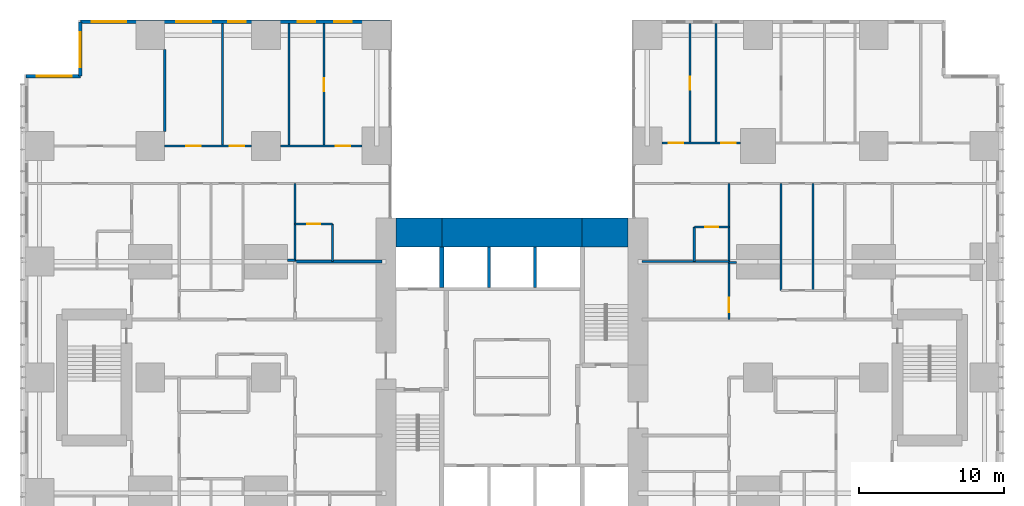
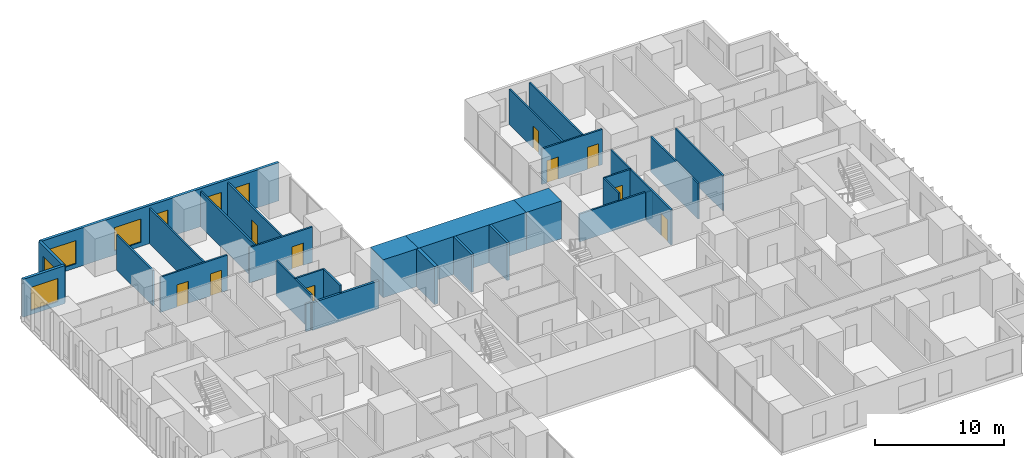
# One storey, part 17 of 20: 30 walls, 10 doors, 7 windows, 17 openings.
"""IFC4 building model written with IfcOpenShell, lengths in metres."""

from ifc_helpers import new_model, si_unit, direction, frame, frame_2d, origin, place, context, subcontext, project, spatial, rectangle, extrude, material, layer, layer_set, type_object, element, fill, save


model = new_model("IFC4")

# Units and contexts
model_context = context("Model", 3, precision=1e-05, world=origin(), true_north=direction((0.0, 1.0)))
body_context = subcontext(model_context, "Body", "Model", "MODEL_VIEW")
ifc_project = project(units=[si_unit("LENGTHUNIT", "METRE"), si_unit("AREAUNIT", "SQUARE_METRE"), si_unit("VOLUMEUNIT", "CUBIC_METRE"), si_unit("PLANEANGLEUNIT", "RADIAN"), si_unit("MASSUNIT", "GRAM", prefix="KILO")], contexts=[model_context])

# Site, building, storey
site_placement = place(None, origin())
site = spatial("IfcSite", under=ifc_project, at=site_placement, CompositionType="ELEMENT")
building_placement = place(site_placement, origin())
building = spatial("IfcBuilding", under=site, at=building_placement, Name="Cleftline Residences", CompositionType="ELEMENT")
storey_placement = place(building_placement, frame((0.0, 0.0, 157.39990234375)))
storey = spatial("IfcBuildingStorey", under=building, at=storey_placement, Name="L41", CompositionType="ELEMENT", Elevation=157.39990234375)

# Walls
ifc_material_1 = material(Name="Concrete B70", Category="concrete")
ifc_layer_1 = layer(ifc_material_1, 2.0)
ifc_layer_set_1 = layer_set([ifc_layer_1], Name="CORE WALL 2000")
wall_type_1 = type_object("IfcWallType", Name="CORE WALL 2000", PredefinedType="SHEAR", material=ifc_layer_set_1)
wall_1_placement = place(storey_placement, frame((25.0, 34.0, 0.0), z_axis=(0.0, 0.0, 1.0), x_axis=(1.0, 0.0, 0.0)))
element("IfcWall", 1, at=wall_1_placement, inside=storey, type_object=wall_type_1, Name="Core wall N1", PredefinedType="SHEAR", context=body_context, shape_type="SweptSolid", body=[
    extrude(rectangle(XDim=3.14990234375, YDim=2.0, at=frame_2d((1.574951171875, 0.0))), origin(), (0.0, 0.0, 1.0), 3.60009765625),
])
wall_2_placement = place(storey_placement, frame((28.14990234375, 34.0, 0.0), z_axis=(0.0, 0.0, 1.0), x_axis=(1.0, 0.0, 0.0)))
element("IfcWall", 2, at=wall_2_placement, inside=storey, type_object=wall_type_1, Name="Core wall N2", PredefinedType="SHEAR", context=body_context, shape_type="SweptSolid", body=[
    extrude(rectangle(XDim=9.7001953125, YDim=2.0, at=frame_2d((4.85009765625, 0.0))), origin(), (0.0, 0.0, 1.0), 3.60009765625),
])
wall_3_placement = place(storey_placement, frame((37.85009765625, 34.0, 0.0), z_axis=(0.0, 0.0, 1.0), x_axis=(1.0, 0.0, 0.0)))
element("IfcWall", 3, at=wall_3_placement, inside=storey, type_object=wall_type_1, Name="Core wall N3", PredefinedType="SHEAR", context=body_context, shape_type="SweptSolid", body=[
    extrude(rectangle(XDim=3.14990234375, YDim=2.0, at=frame_2d((1.574951171875, 0.0))), origin(), (0.0, 0.0, 1.0), 3.60009765625),
])
ifc_material_2 = material(Name="Concrete B70", Category="concrete")
ifc_layer_2 = layer(ifc_material_2, 0.300048828125)
ifc_layer_set_2 = layer_set([ifc_layer_2], Name="CORE WALL 300")
wall_type_2 = type_object("IfcWallType", Name="CORE WALL 300", PredefinedType="SHEAR", material=ifc_layer_set_2)
wall_4_placement = place(storey_placement, frame((28.14990234375, 30.199951171875, 0.0), z_axis=(0.0, 0.0, 1.0), x_axis=(0.0, 1.0, 0.0)))
element("IfcWall", 4, at=wall_4_placement, inside=storey, type_object=wall_type_2, Name="Lift shaft wall", PredefinedType="SHEAR", context=body_context, shape_type="SweptSolid", body=[
    extrude(rectangle(XDim=2.800048828125, YDim=0.300048828125, at=frame_2d((1.39990234375, 0.0))), origin(), (0.0, 0.0, 1.0), 3.60009765625),
])

# Wall, openings, windows
ifc_material_3 = material(Name="Rendered reinforced concrete blockwork", Category="masonry")
ifc_layer_3 = layer(ifc_material_3, 0.25)
ifc_layer_set_3 = layer_set([ifc_layer_3], Name="EXTERNAL WALL 250")
wall_type_3 = type_object("IfcWallType", Name="EXTERNAL WALL 250", PredefinedType="SOLIDWALL", material=ifc_layer_set_3)
wall_5_placement = place(storey_placement, frame((24.574951171875, 48.574951171875, 0.0), z_axis=(0.0, 0.0, 1.0), x_axis=(-1.0, 0.0, 0.0)))
wall_5 = element("IfcWall", 5, at=wall_5_placement, inside=storey, type_object=wall_type_3, Name="External wall", PredefinedType="SOLIDWALL", context=body_context, shape_type="SweptSolid", body=[
    extrude(rectangle(XDim=21.39990234375, YDim=0.25, at=frame_2d((10.699951171875, 0.0))), origin(), (0.0, 0.0, 1.0), 3.60009765625),
])
opening_1_placement = place(wall_5_placement, frame((2.64990234375, 0.0, 0.39990234375)))
opening_1 = element("IfcOpeningElement", 6, at=opening_1_placement, cuts=wall_5, Name="Opening W11", PredefinedType="OPENING", context=body_context, shape_type="SweptSolid", body=[
    extrude(rectangle(XDim=1.199951171875, YDim=2.199951171875, at=frame_2d((0.60009765625, 1.10009765625))), frame((0.0, 0.135009765625, 0.0), z_axis=(0.0, -1.0, 0.0), x_axis=(1.0, 0.0, 0.0)), (0.0, 0.0, 1.0), 0.27001953125),
])
opening_2_placement = place(wall_5_placement, frame((5.175048828125, 0.0, 0.39990234375)))
opening_2 = element("IfcOpeningElement", 7, at=opening_2_placement, cuts=wall_5, Name="Opening W11", PredefinedType="OPENING", context=body_context, shape_type="SweptSolid", body=[
    extrude(rectangle(XDim=1.199951171875, YDim=2.199951171875, at=frame_2d((0.60009765625, 1.10009765625))), frame((0.0, 0.135009765625, 0.0), z_axis=(0.0, -1.0, 0.0), x_axis=(1.0, 0.0, 0.0)), (0.0, 0.0, 1.0), 0.27001953125),
])
opening_3_placement = place(wall_5_placement, frame((9.97509765625, 0.0, 0.39990234375)))
opening_3 = element("IfcOpeningElement", 8, at=opening_3_placement, cuts=wall_5, Name="Opening W11", PredefinedType="OPENING", context=body_context, shape_type="SweptSolid", body=[
    extrude(rectangle(XDim=1.199951171875, YDim=2.199951171875, at=frame_2d((0.60009765625, 1.10009765625))), frame((0.0, 0.135009765625, 0.0), z_axis=(0.0, -1.0, 0.0), x_axis=(1.0, 0.0, 0.0)), (0.0, 0.0, 1.0), 0.27001953125),
])
opening_4_placement = place(wall_5_placement, frame((12.375, 0.0, 0.39990234375)))
opening_4 = element("IfcOpeningElement", 9, at=opening_4_placement, cuts=wall_5, Name="Opening W12", PredefinedType="OPENING", context=body_context, shape_type="SweptSolid", body=[
    extrude(rectangle(XDim=2.39990234375, YDim=2.199951171875, at=frame_2d((1.199951171875, 1.10009765625))), frame((0.0, 0.135009765625, 0.0), z_axis=(0.0, -1.0, 0.0), x_axis=(1.0, 0.0, 0.0)), (0.0, 0.0, 1.0), 0.27001953125),
])
opening_5_placement = place(wall_5_placement, frame((18.22509765625, 0.0, 0.39990234375)))
opening_5 = element("IfcOpeningElement", 10, at=opening_5_placement, cuts=wall_5, Name="Opening W12", PredefinedType="OPENING", context=body_context, shape_type="SweptSolid", body=[
    extrude(rectangle(XDim=2.39990234375, YDim=2.199951171875, at=frame_2d((1.199951171875, 1.10009765625))), frame((0.0, 0.135009765625, 0.0), z_axis=(0.0, -1.0, 0.0), x_axis=(1.0, 0.0, 0.0)), (0.0, 0.0, 1.0), 0.27001953125),
])
ifc_material_4 = material(Name="Aluminium frame, clear double glazing", Category="aluminium")
window_type_1 = type_object("IfcWindowType", Name="WINDOW 1200X2200", PartitioningType="DOUBLE_PANEL_VERTICAL", PredefinedType="WINDOW", material=ifc_material_4)
window_1_placement = place(opening_1_placement, origin())
window_1 = element("IfcWindow", 11, at=window_1_placement, inside=storey, type_object=window_type_1, Name="Window", OverallHeight=2.199951171875, OverallWidth=1.199951171875, PartitioningType="SINGLE_PANEL", PredefinedType="WINDOW", context=body_context, shape_type="SweptSolid", body=[
    extrude(rectangle(XDim=1.199951171875, YDim=2.199951171875, at=frame_2d((0.60009765625, 1.10009765625))), frame((0.0, 0.030029296875, 0.0), z_axis=(0.0, -1.0, 0.0), x_axis=(1.0, 0.0, 0.0)), (0.0, 0.0, 1.0), 0.06005859375),
])
fill(opening_1, window_1)
window_2_placement = place(opening_2_placement, origin())
window_2 = element("IfcWindow", 12, at=window_2_placement, inside=storey, type_object=window_type_1, Name="Window", OverallHeight=2.199951171875, OverallWidth=1.199951171875, PartitioningType="SINGLE_PANEL", PredefinedType="WINDOW", context=body_context, shape_type="SweptSolid", body=[
    extrude(rectangle(XDim=1.199951171875, YDim=2.199951171875, at=frame_2d((0.60009765625, 1.10009765625))), frame((0.0, 0.030029296875, 0.0), z_axis=(0.0, -1.0, 0.0), x_axis=(1.0, 0.0, 0.0)), (0.0, 0.0, 1.0), 0.06005859375),
])
fill(opening_2, window_2)
window_3_placement = place(opening_3_placement, origin())
window_3 = element("IfcWindow", 13, at=window_3_placement, inside=storey, type_object=window_type_1, Name="Window", OverallHeight=2.199951171875, OverallWidth=1.199951171875, PartitioningType="SINGLE_PANEL", PredefinedType="WINDOW", context=body_context, shape_type="SweptSolid", body=[
    extrude(rectangle(XDim=1.199951171875, YDim=2.199951171875, at=frame_2d((0.60009765625, 1.10009765625))), frame((0.0, 0.030029296875, 0.0), z_axis=(0.0, -1.0, 0.0), x_axis=(1.0, 0.0, 0.0)), (0.0, 0.0, 1.0), 0.06005859375),
])
fill(opening_3, window_3)
ifc_material_5 = material(Name="Aluminium frame, clear double glazing", Category="aluminium")
window_type_2 = type_object("IfcWindowType", Name="WINDOW 2400X2200", PartitioningType="DOUBLE_PANEL_VERTICAL", PredefinedType="WINDOW", material=ifc_material_5)
window_4_placement = place(opening_4_placement, origin())
window_4 = element("IfcWindow", 14, at=window_4_placement, inside=storey, type_object=window_type_2, Name="Window", OverallHeight=2.199951171875, OverallWidth=2.39990234375, PartitioningType="SINGLE_PANEL", PredefinedType="WINDOW", context=body_context, shape_type="SweptSolid", body=[
    extrude(rectangle(XDim=2.39990234375, YDim=2.199951171875, at=frame_2d((1.199951171875, 1.10009765625))), frame((0.0, 0.030029296875, 0.0), z_axis=(0.0, -1.0, 0.0), x_axis=(1.0, 0.0, 0.0)), (0.0, 0.0, 1.0), 0.06005859375),
])
fill(opening_4, window_4)
window_5_placement = place(opening_5_placement, origin())
window_5 = element("IfcWindow", 15, at=window_5_placement, inside=storey, type_object=window_type_2, Name="Window", OverallHeight=2.199951171875, OverallWidth=2.39990234375, PartitioningType="SINGLE_PANEL", PredefinedType="WINDOW", context=body_context, shape_type="SweptSolid", body=[
    extrude(rectangle(XDim=2.39990234375, YDim=2.199951171875, at=frame_2d((1.199951171875, 1.10009765625))), frame((0.0, 0.030029296875, 0.0), z_axis=(0.0, -1.0, 0.0), x_axis=(1.0, 0.0, 0.0)), (0.0, 0.0, 1.0), 0.06005859375),
])
fill(opening_5, window_5)

# Wall, opening, window
wall_6_placement = place(storey_placement, frame((3.175048828125, 48.574951171875, 0.0), z_axis=(0.0, 0.0, 1.0), x_axis=(0.0, -1.0, 0.0)))
wall_6 = element("IfcWall", 16, at=wall_6_placement, inside=storey, type_object=wall_type_3, Name="External wall", PredefinedType="SOLIDWALL", context=body_context, shape_type="SweptSolid", body=[
    extrude(rectangle(XDim=3.75, YDim=0.25, at=frame_2d((1.875, 0.0))), origin(), (0.0, 0.0, 1.0), 3.60009765625),
])
opening_6_placement = place(wall_6_placement, frame((0.737548828125, 0.0, 0.39990234375)))
opening_6 = element("IfcOpeningElement", 17, at=opening_6_placement, cuts=wall_6, Name="Opening W12", PredefinedType="OPENING", context=body_context, shape_type="SweptSolid", body=[
    extrude(rectangle(XDim=2.39990234375, YDim=2.199951171875, at=frame_2d((1.199951171875, 1.10009765625))), frame((0.0, 0.135009765625, 0.0), z_axis=(0.0, -1.0, 0.0), x_axis=(1.0, 0.0, 0.0)), (0.0, 0.0, 1.0), 0.27001953125),
])
window_6_placement = place(opening_6_placement, origin())
window_6 = element("IfcWindow", 18, at=window_6_placement, inside=storey, type_object=window_type_2, Name="Window", OverallHeight=2.199951171875, OverallWidth=2.39990234375, PartitioningType="SINGLE_PANEL", PredefinedType="WINDOW", context=body_context, shape_type="SweptSolid", body=[
    extrude(rectangle(XDim=2.39990234375, YDim=2.199951171875, at=frame_2d((1.199951171875, 1.10009765625))), frame((0.0, 0.030029296875, 0.0), z_axis=(0.0, -1.0, 0.0), x_axis=(1.0, 0.0, 0.0)), (0.0, 0.0, 1.0), 0.06005859375),
])
fill(opening_6, window_6)

wall_7_placement = place(storey_placement, frame((3.175048828125, 44.824951171875, 0.0), z_axis=(0.0, 0.0, 1.0), x_axis=(-1.0, 0.0, 0.0)))
wall_7 = element("IfcWall", 19, at=wall_7_placement, inside=storey, type_object=wall_type_3, Name="External wall", PredefinedType="SOLIDWALL", context=body_context, shape_type="SweptSolid", body=[
    extrude(rectangle(XDim=3.75, YDim=0.25, at=frame_2d((1.875, 0.0))), origin(), (0.0, 0.0, 1.0), 3.60009765625),
])
opening_7_placement = place(wall_7_placement, frame((0.612548828125, 0.0, 0.39990234375)))
opening_7 = element("IfcOpeningElement", 20, at=opening_7_placement, cuts=wall_7, Name="Opening W12", PredefinedType="OPENING", context=body_context, shape_type="SweptSolid", body=[
    extrude(rectangle(XDim=2.39990234375, YDim=2.199951171875, at=frame_2d((1.199951171875, 1.10009765625))), frame((0.0, 0.135009765625, 0.0), z_axis=(0.0, -1.0, 0.0), x_axis=(1.0, 0.0, 0.0)), (0.0, 0.0, 1.0), 0.27001953125),
])
window_7_placement = place(opening_7_placement, origin())
window_7 = element("IfcWindow", 21, at=window_7_placement, inside=storey, type_object=window_type_2, Name="Window", OverallHeight=2.199951171875, OverallWidth=2.39990234375, PartitioningType="SINGLE_PANEL", PredefinedType="WINDOW", context=body_context, shape_type="SweptSolid", body=[
    extrude(rectangle(XDim=2.39990234375, YDim=2.199951171875, at=frame_2d((1.199951171875, 1.10009765625))), frame((0.0, 0.030029296875, 0.0), z_axis=(0.0, -1.0, 0.0), x_axis=(1.0, 0.0, 0.0)), (0.0, 0.0, 1.0), 0.06005859375),
])
fill(opening_7, window_7)

# Walls
ifc_material_6 = material(Name="Concrete blockwork, fire rated", Category="masonry")
ifc_layer_4 = layer(ifc_material_6, 0.199951171875)
ifc_layer_set_4 = layer_set([ifc_layer_4], Name="FIRE WALL 200")
wall_type_4 = type_object("IfcWallType", Name="FIRE WALL 200", PredefinedType="PARTITIONING", material=ifc_layer_set_4)
wall_8_placement = place(storey_placement, frame((18.0, 32.0, 0.0), z_axis=(0.0, 0.0, 1.0), x_axis=(1.0, 0.0, 0.0)))
element("IfcWall", 22, at=wall_8_placement, inside=storey, type_object=wall_type_4, Name="Fire separating wall", PredefinedType="PARTITIONING", context=body_context, shape_type="SweptSolid", body=[
    extrude(rectangle(XDim=6.0, YDim=0.199951171875, at=frame_2d((3.0, 0.0))), origin(), (0.0, 0.0, 1.0), 2.634033203125),
])
ifc_material_7 = material(Name="Gypsum board on steel studs", Category="steel")
ifc_layer_5 = layer(ifc_material_7, 0.14990234375)
ifc_layer_set_5 = layer_set([ifc_layer_5], Name="PARTITION 150")
wall_type_5 = type_object("IfcWallType", Name="PARTITION 150", PredefinedType="PARTITIONING", material=ifc_layer_set_5)
wall_9_placement = place(storey_placement, frame((48.0, 31.949951171875, 0.0), z_axis=(0.0, 0.0, 1.0), x_axis=(1.0, 0.0, 0.0)))
element("IfcWall", 23, at=wall_9_placement, inside=storey, type_object=wall_type_5, Name="Partition", PredefinedType="PARTITIONING", context=body_context, shape_type="SweptSolid", body=[
    extrude(rectangle(XDim=0.5, YDim=0.14990234375, at=frame_2d((0.25, 0.0))), origin(), (0.0, 0.0, 1.0), 2.634033203125),
])
wall_10_placement = place(storey_placement, frame((42.0, 32.0, 0.0), z_axis=(0.0, 0.0, 1.0), x_axis=(1.0, 0.0, 0.0)))
element("IfcWall", 24, at=wall_10_placement, inside=storey, type_object=wall_type_5, Name="Partition", PredefinedType="PARTITIONING", context=body_context, shape_type="SweptSolid", body=[
    extrude(rectangle(XDim=6.0, YDim=0.14990234375, at=frame_2d((3.0, 0.0))), origin(), (0.0, 0.0, 1.0), 2.634033203125),
])
wall_11_placement = place(storey_placement, frame((17.5, 32.10009765625, 0.0), z_axis=(0.0, 0.0, 1.0), x_axis=(1.0, 0.0, 0.0)))
element("IfcWall", 25, at=wall_11_placement, inside=storey, type_object=wall_type_5, Name="Partition", PredefinedType="PARTITIONING", context=body_context, shape_type="SweptSolid", body=[
    extrude(rectangle(XDim=0.5, YDim=0.14990234375, at=frame_2d((0.25, 0.0))), origin(), (0.0, 0.0, 1.0), 2.634033203125),
])

# Wall, opening, door
wall_12_placement = place(storey_placement, frame((45.60009765625, 34.39990234375, 0.0), z_axis=(0.0, 0.0, 1.0), x_axis=(1.0, 0.0, 0.0)))
wall_12 = element("IfcWall", 26, at=wall_12_placement, inside=storey, type_object=wall_type_5, Name="Partition", PredefinedType="PARTITIONING", context=body_context, shape_type="SweptSolid", body=[
    extrude(rectangle(XDim=2.39990234375, YDim=0.14990234375, at=frame_2d((1.199951171875, 0.0))), origin(), (0.0, 0.0, 1.0), 3.35009765625),
])
opening_8_placement = place(wall_12_placement, frame((0.75, 0.0, 0.0)))
opening_8 = element("IfcOpeningElement", 27, at=opening_8_placement, cuts=wall_12, Name="Opening D1", PredefinedType="OPENING", context=body_context, shape_type="SweptSolid", body=[
    extrude(rectangle(XDim=0.89990234375, YDim=2.10009765625, at=frame_2d((0.449951171875, 1.050048828125))), frame((0.0, 0.0849609375, 0.0), z_axis=(0.0, -1.0, 0.0), x_axis=(1.0, 0.0, 0.0)), (0.0, 0.0, 1.0), 0.169921875),
])
ifc_material_8 = material(Name="Timber veneer on solid core", Category="wood")
door_type_1 = type_object("IfcDoorType", Name="DOOR 900X2100", OperationType="SINGLE_SWING_LEFT", PredefinedType="DOOR", material=ifc_material_8)
door_1_placement = place(opening_8_placement, origin())
door_1 = element("IfcDoor", 28, at=door_1_placement, inside=storey, type_object=door_type_1, Name="Door to staff shower room", OperationType="SINGLE_SWING_LEFT", OverallHeight=2.10009765625, OverallWidth=0.89990234375, PredefinedType="DOOR", context=body_context, shape_type="SweptSolid", body=[
    extrude(rectangle(XDim=0.89990234375, YDim=2.10009765625, at=frame_2d((0.449951171875, 1.050048828125))), frame((0.0, 0.02490234375, 0.0), z_axis=(0.0, -1.0, 0.0), x_axis=(1.0, 0.0, 0.0)), (0.0, 0.0, 1.0), 0.050048828125),
])
fill(opening_8, door_1)

wall_13_placement = place(storey_placement, frame((18.0, 34.60009765625, 0.0), z_axis=(0.0, 0.0, 1.0), x_axis=(1.0, 0.0, 0.0)))
wall_13 = element("IfcWall", 29, at=wall_13_placement, inside=storey, type_object=wall_type_5, Name="Partition", PredefinedType="PARTITIONING", context=body_context, shape_type="SweptSolid", body=[
    extrude(rectangle(XDim=2.60009765625, YDim=0.14990234375, at=frame_2d((1.300048828125, 0.0))), origin(), (0.0, 0.0, 1.0), 3.35009765625),
])
opening_9_placement = place(wall_13_placement, frame((0.85009765625, 0.0, 0.0)))
opening_9 = element("IfcOpeningElement", 30, at=opening_9_placement, cuts=wall_13, Name="Opening D1", PredefinedType="OPENING", context=body_context, shape_type="SweptSolid", body=[
    extrude(rectangle(XDim=0.89990234375, YDim=2.10009765625, at=frame_2d((0.449951171875, 1.050048828125))), frame((0.0, 0.0849609375, 0.0), z_axis=(0.0, -1.0, 0.0), x_axis=(1.0, 0.0, 0.0)), (0.0, 0.0, 1.0), 0.169921875),
])
door_2_placement = place(opening_9_placement, origin())
door_2 = element("IfcDoor", 31, at=door_2_placement, inside=storey, type_object=door_type_1, Name="Door to en-suite bathroom 3", OperationType="SINGLE_SWING_LEFT", OverallHeight=2.10009765625, OverallWidth=0.89990234375, PredefinedType="DOOR", context=body_context, shape_type="SweptSolid", body=[
    extrude(rectangle(XDim=0.89990234375, YDim=2.10009765625, at=frame_2d((0.449951171875, 1.050048828125))), frame((0.0, 0.02490234375, 0.0), z_axis=(0.0, -1.0, 0.0), x_axis=(1.0, 0.0, 0.0)), (0.0, 0.0, 1.0), 0.050048828125),
])
fill(opening_9, door_2)

# Wall, openings, doors
wall_14_placement = place(storey_placement, frame((9.0, 40.0, 0.0), z_axis=(0.0, 0.0, 1.0), x_axis=(1.0, 0.0, 0.0)))
wall_14 = element("IfcWall", 32, at=wall_14_placement, inside=storey, type_object=wall_type_5, Name="Partition", PredefinedType="PARTITIONING", context=body_context, shape_type="SweptSolid", body=[
    extrude(rectangle(XDim=6.0, YDim=0.14990234375, at=frame_2d((3.0, 0.0))), origin(), (0.0, 0.0, 1.0), 3.35009765625),
])
opening_10_placement = place(wall_14_placement, frame((1.5, 0.0, 0.0)))
opening_10 = element("IfcOpeningElement", 33, at=opening_10_placement, cuts=wall_14, Name="Opening D2", PredefinedType="OPENING", context=body_context, shape_type="SweptSolid", body=[
    extrude(rectangle(XDim=1.0, YDim=2.10009765625, at=frame_2d((0.5, 1.050048828125))), frame((0.0, 0.0849609375, 0.0), z_axis=(0.0, -1.0, 0.0), x_axis=(1.0, 0.0, 0.0)), (0.0, 0.0, 1.0), 0.169921875),
])
opening_11_placement = place(wall_14_placement, frame((4.5, 0.0, 0.0)))
opening_11 = element("IfcOpeningElement", 34, at=opening_11_placement, cuts=wall_14, Name="Opening D2", PredefinedType="OPENING", context=body_context, shape_type="SweptSolid", body=[
    extrude(rectangle(XDim=1.0, YDim=2.10009765625, at=frame_2d((0.5, 1.050048828125))), frame((0.0, 0.0849609375, 0.0), z_axis=(0.0, -1.0, 0.0), x_axis=(1.0, 0.0, 0.0)), (0.0, 0.0, 1.0), 0.169921875),
])
ifc_material_9 = material(Name="Timber veneer on solid core", Category="wood")
door_type_2 = type_object("IfcDoorType", Name="DOOR 1000X2100", OperationType="SINGLE_SWING_LEFT", PredefinedType="DOOR", material=ifc_material_9)
door_3_placement = place(opening_10_placement, origin())
door_3 = element("IfcDoor", 35, at=door_3_placement, inside=storey, type_object=door_type_2, Name="Door to dining room", OperationType="SINGLE_SWING_RIGHT", OverallHeight=2.10009765625, OverallWidth=1.0, PredefinedType="DOOR", context=body_context, shape_type="SweptSolid", body=[
    extrude(rectangle(XDim=1.0, YDim=2.10009765625, at=frame_2d((0.5, 1.050048828125))), frame((0.0, 0.02490234375, 0.0), z_axis=(0.0, -1.0, 0.0), x_axis=(1.0, 0.0, 0.0)), (0.0, 0.0, 1.0), 0.050048828125),
])
fill(opening_10, door_3)
door_4_placement = place(opening_11_placement, origin())
door_4 = element("IfcDoor", 36, at=door_4_placement, inside=storey, type_object=door_type_2, Name="Door to show kitchen", OperationType="SINGLE_SWING_LEFT", OverallHeight=2.10009765625, OverallWidth=1.0, PredefinedType="DOOR", context=body_context, shape_type="SweptSolid", body=[
    extrude(rectangle(XDim=1.0, YDim=2.10009765625, at=frame_2d((0.5, 1.050048828125))), frame((0.0, 0.02490234375, 0.0), z_axis=(0.0, -1.0, 0.0), x_axis=(1.0, 0.0, 0.0)), (0.0, 0.0, 1.0), 0.050048828125),
])
fill(opening_11, door_4)

# Wall, opening, door
wall_15_placement = place(storey_placement, frame((17.0, 40.0, 0.0), z_axis=(0.0, 0.0, 1.0), x_axis=(1.0, 0.0, 0.0)))
wall_15 = element("IfcWall", 37, at=wall_15_placement, inside=storey, type_object=wall_type_5, Name="Partition", PredefinedType="PARTITIONING", context=body_context, shape_type="SweptSolid", body=[
    extrude(rectangle(XDim=5.64990234375, YDim=0.14990234375, at=frame_2d((2.824951171875, 0.0))), origin(), (0.0, 0.0, 1.0), 3.35009765625),
])
opening_12_placement = place(wall_15_placement, frame((3.824951171875, 0.0, 0.0)))
opening_12 = element("IfcOpeningElement", 38, at=opening_12_placement, cuts=wall_15, Name="Opening D2", PredefinedType="OPENING", context=body_context, shape_type="SweptSolid", body=[
    extrude(rectangle(XDim=1.0, YDim=2.10009765625, at=frame_2d((0.5, 1.050048828125))), frame((0.0, 0.0849609375, 0.0), z_axis=(0.0, -1.0, 0.0), x_axis=(1.0, 0.0, 0.0)), (0.0, 0.0, 1.0), 0.169921875),
])
door_5_placement = place(opening_12_placement, origin())
door_5 = element("IfcDoor", 39, at=door_5_placement, inside=storey, type_object=door_type_2, Name="Door to bedroom 2", OperationType="SINGLE_SWING_LEFT", OverallHeight=2.10009765625, OverallWidth=1.0, PredefinedType="DOOR", context=body_context, shape_type="SweptSolid", body=[
    extrude(rectangle(XDim=1.0, YDim=2.10009765625, at=frame_2d((0.5, 1.050048828125))), frame((0.0, 0.02490234375, 0.0), z_axis=(0.0, -1.0, 0.0), x_axis=(1.0, 0.0, 0.0)), (0.0, 0.0, 1.0), 0.050048828125),
])
fill(opening_12, door_5)

# Wall, openings, doors
wall_16_placement = place(storey_placement, frame((43.35009765625, 40.199951171875, 0.0), z_axis=(0.0, 0.0, 1.0), x_axis=(1.0, 0.0, 0.0)))
wall_16 = element("IfcWall", 40, at=wall_16_placement, inside=storey, type_object=wall_type_5, Name="Partition", PredefinedType="PARTITIONING", context=body_context, shape_type="SweptSolid", body=[
    extrude(rectangle(XDim=5.449951171875, YDim=0.14990234375, at=frame_2d((2.72509765625, 0.0))), origin(), (0.0, 0.0, 1.0), 3.35009765625),
])
opening_13_placement = place(wall_16_placement, frame((4.10009765625, 0.0, 0.0)))
opening_13 = element("IfcOpeningElement", 41, at=opening_13_placement, cuts=wall_16, Name="Opening D2", PredefinedType="OPENING", context=body_context, shape_type="SweptSolid", body=[
    extrude(rectangle(XDim=1.0, YDim=2.10009765625, at=frame_2d((0.5, 1.050048828125))), frame((0.0, 0.0849609375, 0.0), z_axis=(0.0, -1.0, 0.0), x_axis=(1.0, 0.0, 0.0)), (0.0, 0.0, 1.0), 0.169921875),
])
opening_14_placement = place(wall_16_placement, frame((0.47509765625, 0.0, 0.0)))
opening_14 = element("IfcOpeningElement", 42, at=opening_14_placement, cuts=wall_16, Name="Opening D2", PredefinedType="OPENING", context=body_context, shape_type="SweptSolid", body=[
    extrude(rectangle(XDim=1.0, YDim=2.10009765625, at=frame_2d((0.5, 1.050048828125))), frame((0.0, 0.0849609375, 0.0), z_axis=(0.0, -1.0, 0.0), x_axis=(1.0, 0.0, 0.0)), (0.0, 0.0, 1.0), 0.169921875),
])
door_6_placement = place(opening_13_placement, origin())
door_6 = element("IfcDoor", 43, at=door_6_placement, inside=storey, type_object=door_type_2, Name="Door to bedroom 3", OperationType="SINGLE_SWING_LEFT", OverallHeight=2.10009765625, OverallWidth=1.0, PredefinedType="DOOR", context=body_context, shape_type="SweptSolid", body=[
    extrude(rectangle(XDim=1.0, YDim=2.10009765625, at=frame_2d((0.5, 1.050048828125))), frame((0.0, 0.02490234375, 0.0), z_axis=(0.0, -1.0, 0.0), x_axis=(1.0, 0.0, 0.0)), (0.0, 0.0, 1.0), 0.050048828125),
])
fill(opening_13, door_6)
door_7_placement = place(opening_14_placement, origin())
door_7 = element("IfcDoor", 44, at=door_7_placement, inside=storey, type_object=door_type_2, Name="Door to bedroom 4", OperationType="SINGLE_SWING_RIGHT", OverallHeight=2.10009765625, OverallWidth=1.0, PredefinedType="DOOR", context=body_context, shape_type="SweptSolid", body=[
    extrude(rectangle(XDim=1.0, YDim=2.10009765625, at=frame_2d((0.5, 1.050048828125))), frame((0.0, 0.02490234375, 0.0), z_axis=(0.0, -1.0, 0.0), x_axis=(1.0, 0.0, 0.0)), (0.0, 0.0, 1.0), 0.050048828125),
])
fill(opening_14, door_7)

# Walls
wall_17_placement = place(storey_placement, frame((9.0, 41.0, 0.0), z_axis=(0.0, 0.0, 1.0), x_axis=(0.0, 1.0, 0.0)))
element("IfcWall", 45, at=wall_17_placement, inside=storey, type_object=wall_type_5, Name="Partition", PredefinedType="PARTITIONING", context=body_context, shape_type="SweptSolid", body=[
    extrude(rectangle(XDim=5.64990234375, YDim=0.14990234375, at=frame_2d((2.824951171875, 0.0))), origin(), (0.0, 0.0, 1.0), 3.35009765625),
])
for number, where, z_axis, x_axis, name in (
    (46, (13.0, 40.0, 0.0), (0.0, 0.0, 1.0), (0.0, 1.0, 0.0), "Partition"),
    (47, (17.60009765625, 40.0, 0.0), (0.0, 0.0, 1.0), (0.0, 1.0, 0.0), "Partition"),
):
    element("IfcWall", number, at=place(storey_placement, frame(where, z_axis=z_axis, x_axis=x_axis)), inside=storey, type_object=wall_type_5, Name=name, PredefinedType="PARTITIONING", context=body_context, shape_type="SweptSolid", body=[
        extrude(rectangle(XDim=8.449951171875, YDim=0.14990234375, at=frame_2d((4.22509765625, 0.0))), origin(), (0.0, 0.0, 1.0), 3.35009765625),
    ])
wall_18_placement = place(storey_placement, frame((18.0, 32.0, 0.0), z_axis=(0.0, 0.0, 1.0), x_axis=(0.0, 1.0, 0.0)))
element("IfcWall", 48, at=wall_18_placement, inside=storey, type_object=wall_type_5, Name="Partition", PredefinedType="PARTITIONING", context=body_context, shape_type="SweptSolid", body=[
    extrude(rectangle(XDim=5.39990234375, YDim=0.14990234375, at=frame_2d((2.699951171875, 0.0))), origin(), (0.0, 0.0, 1.0), 3.35009765625),
])

# Wall, opening, door
wall_19_placement = place(storey_placement, frame((20.0, 40.0, 0.0), z_axis=(0.0, 0.0, 1.0), x_axis=(0.0, 1.0, 0.0)))
wall_19 = element("IfcWall", 49, at=wall_19_placement, inside=storey, type_object=wall_type_5, Name="Partition", PredefinedType="PARTITIONING", context=body_context, shape_type="SweptSolid", body=[
    extrude(rectangle(XDim=8.449951171875, YDim=0.14990234375, at=frame_2d((4.22509765625, 0.0))), origin(), (0.0, 0.0, 1.0), 3.35009765625),
])
opening_15_placement = place(wall_19_placement, frame((3.77490234375, 0.0, 0.0)))
opening_15 = element("IfcOpeningElement", 50, at=opening_15_placement, cuts=wall_19, Name="Opening D1", PredefinedType="OPENING", context=body_context, shape_type="SweptSolid", body=[
    extrude(rectangle(XDim=0.89990234375, YDim=2.10009765625, at=frame_2d((0.449951171875, 1.050048828125))), frame((0.0, 0.0849609375, 0.0), z_axis=(0.0, -1.0, 0.0), x_axis=(1.0, 0.0, 0.0)), (0.0, 0.0, 1.0), 0.169921875),
])
door_8_placement = place(opening_15_placement, origin())
door_8 = element("IfcDoor", 51, at=door_8_placement, inside=storey, type_object=door_type_1, Name="Door to en-suite bathroom 2", OperationType="SINGLE_SWING_LEFT", OverallHeight=2.10009765625, OverallWidth=0.89990234375, PredefinedType="DOOR", context=body_context, shape_type="SweptSolid", body=[
    extrude(rectangle(XDim=0.89990234375, YDim=2.10009765625, at=frame_2d((0.449951171875, 1.050048828125))), frame((0.0, 0.02490234375, 0.0), z_axis=(0.0, -1.0, 0.0), x_axis=(1.0, 0.0, 0.0)), (0.0, 0.0, 1.0), 0.050048828125),
])
fill(opening_15, door_8)

# Wall
wall_20_placement = place(storey_placement, frame((20.60009765625, 32.0, 0.0), z_axis=(0.0, 0.0, 1.0), x_axis=(0.0, 1.0, 0.0)))
element("IfcWall", 52, at=wall_20_placement, inside=storey, type_object=wall_type_5, Name="Partition", PredefinedType="PARTITIONING", context=body_context, shape_type="SweptSolid", body=[
    extrude(rectangle(XDim=2.60009765625, YDim=0.14990234375, at=frame_2d((1.300048828125, 0.0))), origin(), (0.0, 0.0, 1.0), 3.35009765625),
])

# Wall, opening, door
wall_21_placement = place(storey_placement, frame((45.300048828125, 40.199951171875, 0.0), z_axis=(0.0, 0.0, 1.0), x_axis=(0.0, 1.0, 0.0)))
wall_21 = element("IfcWall", 53, at=wall_21_placement, inside=storey, type_object=wall_type_5, Name="Partition", PredefinedType="PARTITIONING", context=body_context, shape_type="SweptSolid", body=[
    extrude(rectangle(XDim=8.25, YDim=0.14990234375, at=frame_2d((4.125, 0.0))), origin(), (0.0, 0.0, 1.0), 3.35009765625),
])
opening_16_placement = place(wall_21_placement, frame((3.675048828125, 0.0, 0.0)))
opening_16 = element("IfcOpeningElement", 54, at=opening_16_placement, cuts=wall_21, Name="Opening D1", PredefinedType="OPENING", context=body_context, shape_type="SweptSolid", body=[
    extrude(rectangle(XDim=0.89990234375, YDim=2.10009765625, at=frame_2d((0.449951171875, 1.050048828125))), frame((0.0, 0.0849609375, 0.0), z_axis=(0.0, -1.0, 0.0), x_axis=(1.0, 0.0, 0.0)), (0.0, 0.0, 1.0), 0.169921875),
])
door_9_placement = place(opening_16_placement, origin())
door_9 = element("IfcDoor", 55, at=door_9_placement, inside=storey, type_object=door_type_1, Name="Door to en-suite bathroom 4", OperationType="SINGLE_SWING_LEFT", OverallHeight=2.10009765625, OverallWidth=0.89990234375, PredefinedType="DOOR", context=body_context, shape_type="SweptSolid", body=[
    extrude(rectangle(XDim=0.89990234375, YDim=2.10009765625, at=frame_2d((0.449951171875, 1.050048828125))), frame((0.0, 0.02490234375, 0.0), z_axis=(0.0, -1.0, 0.0), x_axis=(1.0, 0.0, 0.0)), (0.0, 0.0, 1.0), 0.050048828125),
])
fill(opening_16, door_9)

# Walls
wall_22_placement = place(storey_placement, frame((45.60009765625, 32.0, 0.0), z_axis=(0.0, 0.0, 1.0), x_axis=(0.0, 1.0, 0.0)))
element("IfcWall", 56, at=wall_22_placement, inside=storey, type_object=wall_type_5, Name="Partition", PredefinedType="PARTITIONING", context=body_context, shape_type="SweptSolid", body=[
    extrude(rectangle(XDim=2.39990234375, YDim=0.14990234375, at=frame_2d((1.199951171875, 0.0))), origin(), (0.0, 0.0, 1.0), 3.35009765625),
])
wall_23_placement = place(storey_placement, frame((47.10009765625, 40.199951171875, 0.0), z_axis=(0.0, 0.0, 1.0), x_axis=(0.0, 1.0, 0.0)))
element("IfcWall", 57, at=wall_23_placement, inside=storey, type_object=wall_type_5, Name="Partition", PredefinedType="PARTITIONING", context=body_context, shape_type="SweptSolid", body=[
    extrude(rectangle(XDim=8.25, YDim=0.14990234375, at=frame_2d((4.125, 0.0))), origin(), (0.0, 0.0, 1.0), 3.35009765625),
])

# Wall, opening, door
wall_24_placement = place(storey_placement, frame((48.0, 28.0, 0.0), z_axis=(0.0, 0.0, 1.0), x_axis=(0.0, 1.0, 0.0)))
wall_24 = element("IfcWall", 58, at=wall_24_placement, inside=storey, type_object=wall_type_5, Name="Partition", PredefinedType="PARTITIONING", context=body_context, shape_type="SweptSolid", body=[
    extrude(rectangle(XDim=9.39990234375, YDim=0.14990234375, at=frame_2d((4.699951171875, 0.0))), origin(), (0.0, 0.0, 1.0), 3.35009765625),
])
opening_17_placement = place(wall_24_placement, frame((0.5, 0.0, 0.0)))
opening_17 = element("IfcOpeningElement", 59, at=opening_17_placement, cuts=wall_24, Name="Opening D2", PredefinedType="OPENING", context=body_context, shape_type="SweptSolid", body=[
    extrude(rectangle(XDim=1.0, YDim=2.10009765625, at=frame_2d((0.5, 1.050048828125))), frame((0.0, 0.0849609375, 0.0), z_axis=(0.0, -1.0, 0.0), x_axis=(1.0, 0.0, 0.0)), (0.0, 0.0, 1.0), 0.169921875),
])
door_10_placement = place(opening_17_placement, origin())
door_10 = element("IfcDoor", 60, at=door_10_placement, inside=storey, type_object=door_type_2, Name="Door to morning kitchen", OperationType="SINGLE_SWING_RIGHT", OverallHeight=2.10009765625, OverallWidth=1.0, PredefinedType="DOOR", context=body_context, shape_type="SweptSolid", body=[
    extrude(rectangle(XDim=1.0, YDim=2.10009765625, at=frame_2d((0.5, 1.050048828125))), frame((0.0, 0.02490234375, 0.0), z_axis=(0.0, -1.0, 0.0), x_axis=(1.0, 0.0, 0.0)), (0.0, 0.0, 1.0), 0.050048828125),
])
fill(opening_17, door_10)

# Walls
for number, where, z_axis, x_axis, name in (
    (61, (51.60009765625, 30.0, 0.0), (0.0, 0.0, 1.0), (0.0, 1.0, 0.0), "Partition"),
    (62, (53.800048828125, 30.0, 0.0), (0.0, 0.0, 1.0), (0.0, 1.0, 0.0), "Partition"),
):
    element("IfcWall", number, at=place(storey_placement, frame(where, z_axis=z_axis, x_axis=x_axis)), inside=storey, type_object=wall_type_5, Name=name, PredefinedType="PARTITIONING", context=body_context, shape_type="SweptSolid", body=[
        extrude(rectangle(XDim=7.39990234375, YDim=0.14990234375, at=frame_2d((3.699951171875, 0.0))), origin(), (0.0, 0.0, 1.0), 3.35009765625),
    ])
ifc_material_10 = material(Name="Concrete blockwork, fire rated", Category="masonry")
ifc_layer_6 = layer(ifc_material_10, 0.199951171875)
ifc_layer_set_6 = layer_set([ifc_layer_6], Name="SHAFT WALL 200")
wall_type_6 = type_object("IfcWallType", Name="SHAFT WALL 200", PredefinedType="PARTITIONING", material=ifc_layer_set_6)
for number, where, z_axis, x_axis, name in (
    (63, (31.39990234375, 30.199951171875, 0.0), (0.0, 0.0, 1.0), (0.0, 1.0, 0.0), "Lift shaft wall"),
    (64, (34.60009765625, 30.199951171875, 0.0), (0.0, 0.0, 1.0), (0.0, 1.0, 0.0), "Lift shaft wall"),
):
    element("IfcWall", number, at=place(storey_placement, frame(where, z_axis=z_axis, x_axis=x_axis)), inside=storey, type_object=wall_type_6, Name=name, PredefinedType="PARTITIONING", context=body_context, shape_type="SweptSolid", body=[
        extrude(rectangle(XDim=2.800048828125, YDim=0.199951171875, at=frame_2d((1.39990234375, 0.0))), origin(), (0.0, 0.0, 1.0), 3.60009765625),
    ])

save(model, "model.ifc")
